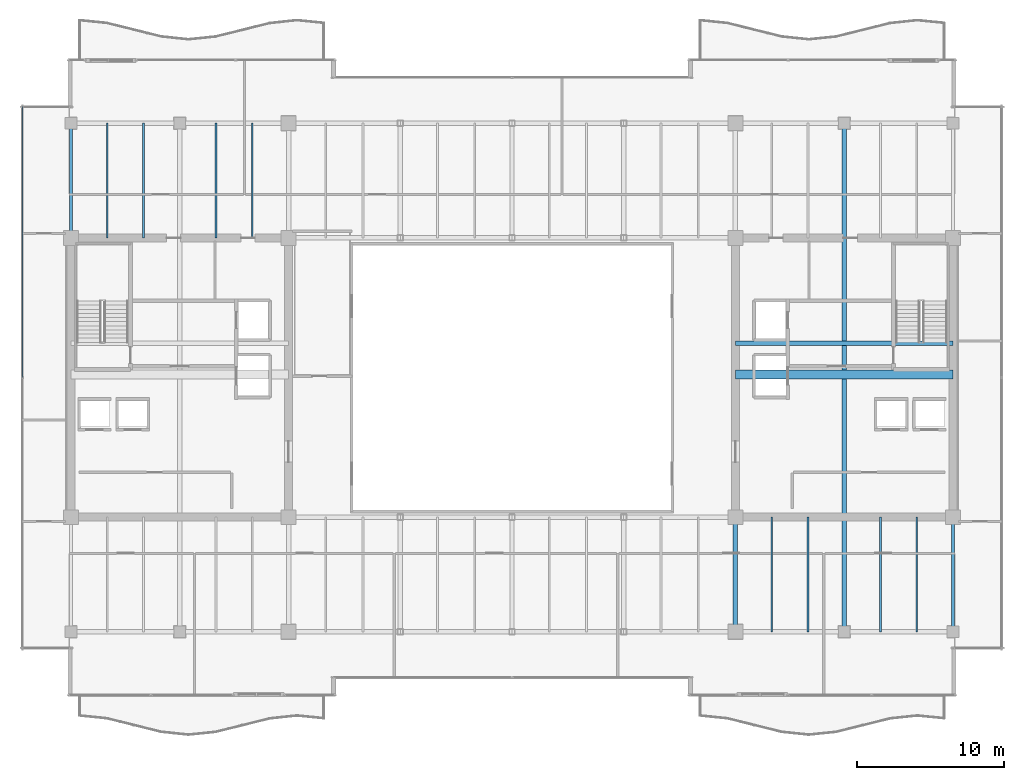
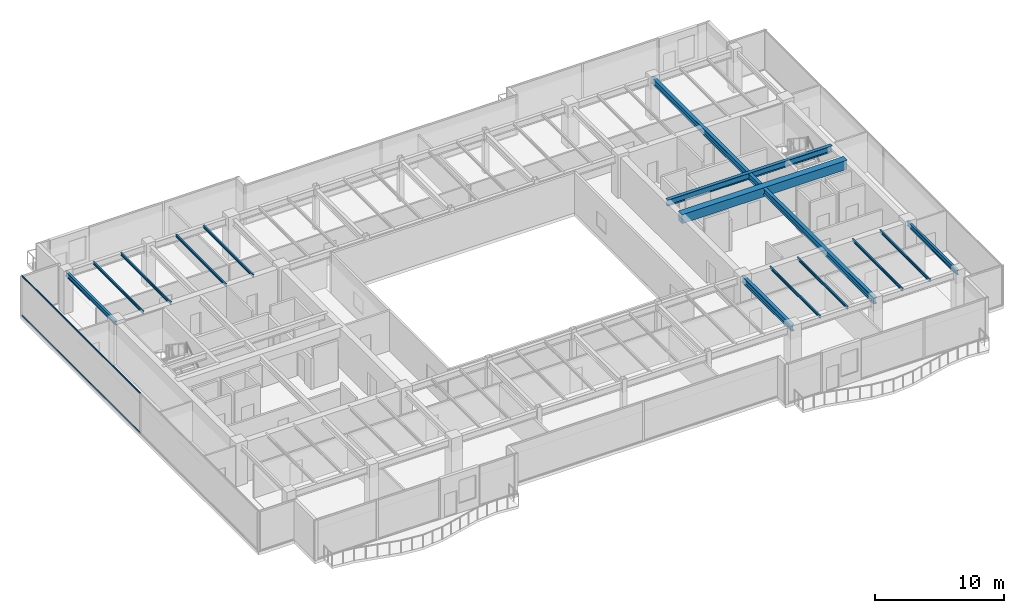
# One storey, part 13 of 35: 14 beams, 2 members, 1 element without a shape of its own.
"""IFC4 building model written with IfcOpenShell, lengths in metres."""

from ifc_helpers import new_model, si_unit, direction, frame, origin, origin_2d, place, context, subcontext, project, spatial, rectangle, hollow_rectangle, i_section, extrude, source, transform, mapped, material, layer, layer_set, material_profile, profile_set, type_object, type_shapes, element, aggregate, save


model = new_model("IFC4")

# Units and contexts
model_context = context("Model", 3, precision=1e-05, world=origin(), true_north=direction((0.0, 1.0)))
body_context = subcontext(model_context, "Body", "Model", "MODEL_VIEW")
ifc_project = project(units=[si_unit("LENGTHUNIT", "METRE"), si_unit("AREAUNIT", "SQUARE_METRE"), si_unit("VOLUMEUNIT", "CUBIC_METRE"), si_unit("PLANEANGLEUNIT", "RADIAN"), si_unit("MASSUNIT", "GRAM", prefix="KILO")], contexts=[model_context])

# Site, building, storey
site_placement = place(None, origin())
site = spatial("IfcSite", under=ifc_project, at=site_placement, CompositionType="ELEMENT")
building_placement = place(site_placement, origin())
building = spatial("IfcBuilding", under=site, at=building_placement, Name="Haelvirn Gate Laboratories", CompositionType="ELEMENT")
storey_placement = place(building_placement, frame((0.0, 0.0, 283.39990234375)))
storey = spatial("IfcBuildingStorey", under=building, at=storey_placement, Name="L68", CompositionType="ELEMENT", Elevation=283.39990234375)

# Beams
ifc_material_1 = material(Name="Steel SM355", Category="steel")
ifc_material_profile_1 = material_profile(ifc_material_1, i_section(OverallWidth=0.300048828125, OverallDepth=0.587890625, WebThickness=0.011962890625, FlangeThickness=0.02001953125, at=origin_2d()), Name="H-588x300x12x20")
ifc_profile_set_1 = profile_set([ifc_material_profile_1], Name="Steel SM355")
beam_type_1 = type_object("IfcBeamType", Name="BM-G-588", PredefinedType="BEAM", material=ifc_profile_set_1)
shared_shape_1 = source(origin(), body_context, "Body", "SweptSolid", [
    extrude(i_section(OverallWidth=0.300048828125, OverallDepth=0.587890625, WebThickness=0.011962890625, FlangeThickness=0.02001953125, at=origin_2d()), origin(), (0.0, 0.0, 1.0), 14.7998046875),
])
beam_1_placement = place(storey_placement, frame((52.60009765625, 26.6201171875, 3.506103515625), z_axis=(1.0, 0.0, 0.0), x_axis=(0.0, 1.0, 0.0)))
element("IfcBeam", 1, at=beam_1_placement, inside=storey, type_object=beam_type_1, Name="L68 Stair ST2 Landing Header", PredefinedType="BEAM", context=body_context, shape_type="MappedRepresentation", body=[
    mapped(shared_shape_1, transform((0.0, 0.0, 0.0), scale=1.0)),
])
shared_shape_2 = source(origin(), body_context, "Body", "SweptSolid", [
    extrude(i_section(OverallWidth=0.300048828125, OverallDepth=0.587890625, WebThickness=0.011962890625, FlangeThickness=0.02001953125, at=origin_2d()), origin(), (0.0, 0.0, 1.0), 34.60009765625),
])
beam_2_placement = place(storey_placement, frame((60.0, 7.0, 3.506103515625), z_axis=(0.0, 1.0, 0.0), x_axis=(-1.0, 0.0, 0.0)))
element("IfcBeam", 2, at=beam_2_placement, inside=storey, type_object=beam_type_1, Name="L68 Frame Girder X60.0 (7.0-41.6)", PredefinedType="BEAM", context=body_context, shape_type="MappedRepresentation", body=[
    mapped(shared_shape_2, transform((0.0, 0.0, 0.0), scale=1.0)),
])
shared_shape_3 = source(origin(), body_context, "Body", "SweptSolid", [
    extrude(i_section(OverallWidth=0.300048828125, OverallDepth=0.587890625, WebThickness=0.011962890625, FlangeThickness=0.02001953125, at=origin_2d()), origin(), (0.0, 0.0, 1.0), 7.800048828125),
])
type_shapes(beam_type_1, [shared_shape_1, shared_shape_2, shared_shape_3])
beam_3_placement = place(storey_placement, frame((52.60009765625, 7.0, 3.506103515625), z_axis=(0.0, 1.0, 0.0), x_axis=(-1.0, 0.0, 0.0)))
element("IfcBeam", 3, at=beam_3_placement, inside=storey, type_object=beam_type_1, Name="L68 Frame Girder X52.6 (7.0-14.8)", PredefinedType="BEAM", context=body_context, shape_type="MappedRepresentation", body=[
    mapped(shared_shape_3, transform((0.0, 0.0, 0.0), scale=1.0)),
])
ifc_material_2 = material(Name="Concrete C50/60", Category="concrete")
ifc_material_profile_2 = material_profile(ifc_material_2, rectangle(XDim=0.60009765625, YDim=0.85009765625, at=origin_2d()), Name="RCB-600x850")
ifc_profile_set_2 = profile_set([ifc_material_profile_2], Name="Concrete C50/60")
beam_type_2 = type_object("IfcBeamType", Name="BM-RCB-850", PredefinedType="LINTEL", material=ifc_profile_set_2)
shared_shape_4 = source(origin(), body_context, "Body", "SweptSolid", [
    extrude(rectangle(XDim=0.60009765625, YDim=0.85009765625, at=origin_2d()), origin(), (0.0, 0.0, 1.0), 14.7998046875),
])
type_shapes(beam_type_2, [shared_shape_4])
beam_4_placement = place(storey_placement, frame((52.60009765625, 24.5, 3.375), z_axis=(1.0, 0.0, 0.0), x_axis=(0.0, 1.0, 0.0)))
element("IfcBeam", 4, at=beam_4_placement, inside=storey, type_object=beam_type_2, Name="L68 East Core Coupling Beam", PredefinedType="LINTEL", context=body_context, shape_type="MappedRepresentation", body=[
    mapped(shared_shape_4, transform((0.0, 0.0, 0.0), scale=1.0)),
])
ifc_material_profile_3 = material_profile(ifc_material_1, i_section(OverallWidth=0.199951171875, OverallDepth=0.449951171875, WebThickness=0.009033203125, FlangeThickness=0.013916015625, at=origin_2d()), Name="H-450x200x9x14")
ifc_profile_set_3 = profile_set([ifc_material_profile_3], Name="Steel SM355")
beam_type_3 = type_object("IfcBeamType", Name="BM-SP-450", PredefinedType="SPANDREL", material=ifc_profile_set_3)
shared_shape_5 = source(origin(), body_context, "Body", "SweptSolid", [
    extrude(i_section(OverallWidth=0.199951171875, OverallDepth=0.449951171875, WebThickness=0.009033203125, FlangeThickness=0.013916015625, at=origin_2d()), origin(), (0.0, 0.0, 1.0), 7.800048828125),
])
type_shapes(beam_type_3, [shared_shape_5])
for number, where, z_axis, x_axis, name in (
    (5, (7.39990234375, 33.800048828125, 3.5751953125), (0.0, 1.0, 0.0), (-1.0, 0.0, 0.0), "L68 Perimeter Spandrel X7.4 (33.8-41.6)"),
    (6, (67.39990234375, 7.0, 3.5751953125), (0.0, 1.0, 0.0), (-1.0, 0.0, 0.0), "L68 Perimeter Spandrel X67.4 (7.0-14.8)"),
):
    element("IfcBeam", number, at=place(storey_placement, frame(where, z_axis=z_axis, x_axis=x_axis)), inside=storey, type_object=beam_type_3, Name=name, PredefinedType="SPANDREL", context=body_context, shape_type="MappedRepresentation", body=[
        mapped(shared_shape_5, transform((0.0, 0.0, 0.0), scale=1.0)),
    ])
ifc_material_profile_4 = material_profile(ifc_material_1, i_section(OverallWidth=0.125, OverallDepth=0.25, WebThickness=0.006103515625, FlangeThickness=0.009033203125, at=origin_2d()), Name="H-250x125x6x9")
ifc_profile_set_4 = profile_set([ifc_material_profile_4], Name="Steel SM355")
beam_type_4 = type_object("IfcBeamType", Name="BM-J-250", PredefinedType="JOIST", material=ifc_profile_set_4)
shared_shape_6 = source(origin(), body_context, "Body", "SweptSolid", [
    extrude(i_section(OverallWidth=0.125, OverallDepth=0.25, WebThickness=0.006103515625, FlangeThickness=0.009033203125, at=origin_2d()), origin(), (0.0, 0.0, 1.0), 7.800048828125),
])
type_shapes(beam_type_4, [shared_shape_6])
for number, where, z_axis, x_axis, name in (
    (7, (9.8701171875, 33.800048828125, 3.675048828125), (0.0, 1.0, 0.0), (-1.0, 0.0, 0.0), "L68 Composite Lab Joist North X9.87"),
    (8, (12.330078125, 33.800048828125, 3.675048828125), (0.0, 1.0, 0.0), (-1.0, 0.0, 0.0), "L68 Composite Lab Joist North X12.33"),
    (9, (17.27001953125, 33.800048828125, 3.675048828125), (0.0, 1.0, 0.0), (-1.0, 0.0, 0.0), "L68 Composite Lab Joist North X17.27"),
    (10, (19.72998046875, 33.800048828125, 3.675048828125), (0.0, 1.0, 0.0), (-1.0, 0.0, 0.0), "L68 Composite Lab Joist North X19.73"),
    (11, (55.070068359375, 7.0, 3.675048828125), (0.0, 1.0, 0.0), (-1.0, 0.0, 0.0), "L68 Composite Lab Joist South X55.07"),
    (12, (57.530029296875, 7.0, 3.675048828125), (0.0, 1.0, 0.0), (-1.0, 0.0, 0.0), "L68 Composite Lab Joist South X57.53"),
    (13, (62.469970703125, 7.0, 3.675048828125), (0.0, 1.0, 0.0), (-1.0, 0.0, 0.0), "L68 Composite Lab Joist South X62.47"),
    (14, (64.929931640625, 7.0, 3.675048828125), (0.0, 1.0, 0.0), (-1.0, 0.0, 0.0), "L68 Composite Lab Joist South X64.93"),
):
    element("IfcBeam", number, at=place(storey_placement, frame(where, z_axis=z_axis, x_axis=x_axis)), inside=storey, type_object=beam_type_4, Name=name, PredefinedType="JOIST", context=body_context, shape_type="MappedRepresentation", body=[
        mapped(shared_shape_6, transform((0.0, 0.0, 0.0), scale=1.0)),
    ])

# Curtain wall, members
ifc_material_3 = material(Name="Anodised bronze unitised aluminium & triple low-E glass", Category="aluminium")
ifc_layer = layer(ifc_material_3, 0.176025390625, Name="CW-SYS-4")
ifc_layer_set = layer_set([ifc_layer], Name="Anodised bronze unitised aluminium & triple low-E glass")
curtain_wall_type = type_object("IfcCurtainWallType", Name="CW-SYS-4", PredefinedType="NOTDEFINED", material=ifc_layer_set)
curtain_wall_placement = place(storey_placement, origin())
curtain_wall = element("IfcCurtainWall", 15, at=curtain_wall_placement, inside=storey, type_object=curtain_wall_type, Name="L68 Unitised Curtain Wall CW-L68-P0-E17", PredefinedType="NOTDEFINED")
ifc_material_4 = material(Name="Extruded aluminium 6063-T6 (anodised bronze)", Category="aluminium")
ifc_material_profile_5 = material_profile(ifc_material_4, hollow_rectangle(XDim=0.06494140625, YDim=0.139892578125, WallThickness=0.00390625, at=origin_2d()), Name="CWT-140x65x4")
ifc_profile_set_5 = profile_set([ifc_material_profile_5], Name="Extruded aluminium 6063-T6 (anodised bronze)")
member_type = type_object("IfcMemberType", Name="CWT-T140", PredefinedType="USERDEFINED", material=ifc_profile_set_5)
shared_shape_7 = source(origin(), body_context, "Body", "SweptSolid", [
    extrude(hollow_rectangle(XDim=0.06494140625, YDim=0.139892578125, WallThickness=0.00390625, at=origin_2d()), origin(), (0.0, 0.0, 1.0), 18.39501953125),
])
type_shapes(member_type, [shared_shape_7])
member_1_placement = place(storey_placement, frame((4.10009765625, 42.72998046875, 0.03271484375), z_axis=(0.0, -1.0, 0.0), x_axis=(1.0, 0.0, 0.0)))
member_1 = element("IfcMember", 16, at=member_1_placement, type_object=member_type, Name="CW4 transom 1.1", ObjectType="TRANSOM", PredefinedType="USERDEFINED", context=body_context, shape_type="MappedRepresentation", body=[
    mapped(shared_shape_7, transform((0.0, 0.0, 0.0), scale=1.0)),
])
member_2_placement = place(storey_placement, frame((4.10009765625, 42.72998046875, 3.767578125), z_axis=(0.0, -1.0, 0.0), x_axis=(1.0, 0.0, 0.0)))
member_2 = element("IfcMember", 17, at=member_2_placement, type_object=member_type, Name="CW4 transom 1.2", ObjectType="TRANSOM", PredefinedType="USERDEFINED", context=body_context, shape_type="MappedRepresentation", body=[
    mapped(shared_shape_7, transform((0.0, 0.0, 0.0), scale=1.0)),
])
aggregate(curtain_wall, [member_1, member_2])

save(model, "model.ifc")
